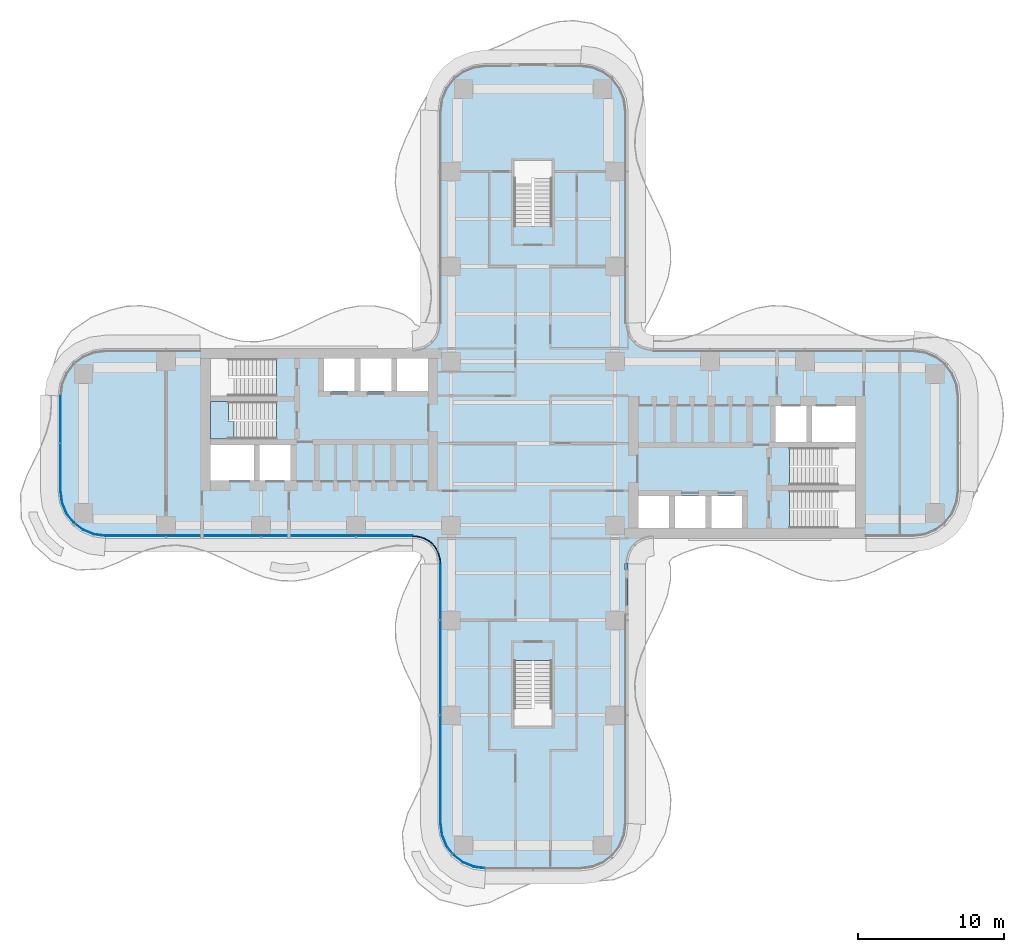
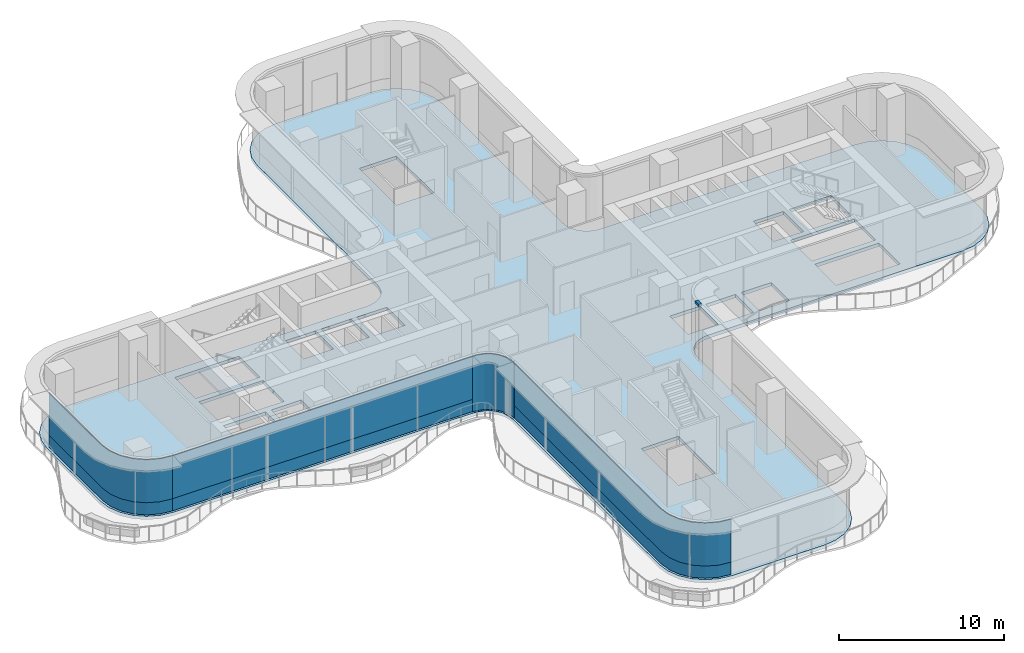
# One storey, part 13 of 23: 7 plates, 2 slabs, 1 member, 6 elements without a shape of their own.
"""IFC4 building model written with IfcOpenShell, lengths in metres."""

from ifc_helpers import new_model, si_unit, direction, frame, origin, place, context, subcontext, project, spatial, polyline, outline, extrude, source, transform, mapped, material, layer, layer_set, type_object, element, aggregate, save


model = new_model("IFC4")

# Units and contexts
model_context = context("Model", 3, precision=1e-05, world=origin(), true_north=direction((0.0, 1.0)))
body_context = subcontext(model_context, "Body", "Model", "MODEL_VIEW")
ifc_project = project(units=[si_unit("LENGTHUNIT", "METRE"), si_unit("AREAUNIT", "SQUARE_METRE"), si_unit("VOLUMEUNIT", "CUBIC_METRE"), si_unit("PLANEANGLEUNIT", "RADIAN"), si_unit("MASSUNIT", "GRAM", prefix="KILO")], contexts=[model_context])

# Site, building, storey
site_placement = place(None, origin())
site = spatial("IfcSite", under=ifc_project, at=site_placement, CompositionType="ELEMENT")
building_placement = place(site_placement, origin())
building = spatial("IfcBuilding", under=site, at=building_placement, Name="Trellis Farm Tower", CompositionType="ELEMENT")
storey_placement = place(building_placement, frame((0.0, 0.0, 111.0)))
storey = spatial("IfcBuildingStorey", under=building, at=storey_placement, Name="L23", CompositionType="ELEMENT", Elevation=111.0)

# Curtain wall, member
ifc_material_1 = material(Name="Aluminium and glass curtain wall", Category="aluminium")
ifc_layer_1 = layer(ifc_material_1, 0.18994140625)
ifc_layer_set_1 = layer_set([ifc_layer_1], Name="RIBBON CURTAIN WALL CW1")
curtain_wall_type_1 = type_object("IfcCurtainWallType", Name="RIBBON CURTAIN WALL CW1", PredefinedType="NOTDEFINED", material=ifc_layer_set_1)
placement_1 = place(storey_placement, origin())
curtain_wall_1 = element("IfcCurtainWall", 1, at=placement_1, inside=storey, type_object=curtain_wall_type_1, Name="CW1 005", PredefinedType="NOTDEFINED")
ifc_material_2 = material(Name="Aluminium extrusion 6063-T6", Category="aluminium")
ifc_layer_2 = layer(ifc_material_2, 0.199951171875)
ifc_layer_set_2 = layer_set([ifc_layer_2], Name="Aluminium extrusion 6063-T6")
member_type = type_object("IfcMemberType", Name="CW1 TRANSOM 200x180", PredefinedType="USERDEFINED", material=ifc_layer_set_2)
shared_shape_1 = source(origin(), body_context, "Body", "SweptSolid", [
    extrude(outline(polyline([(6.5, -8.665771484375), (6.5, -8.2314453125), (6.300048828125, -8.224853515625), (6.300048828125, -8.665771484375), (6.5, -8.665771484375)])), origin(), (0.0, 0.0, 1.0), 0.179931640625),
])
member_placement = place(storey_placement, frame((0.0, 0.0, 4.070068359375)))
member = element("IfcMember", 2, at=member_placement, type_object=member_type, Name="TR1 005", ObjectType="TRANSOM", PredefinedType="USERDEFINED", context=body_context, shape_type="MappedRepresentation", body=[
    mapped(shared_shape_1, transform((0.0, 0.0, 0.0))),
])
aggregate(curtain_wall_1, [member])

# Slab
ifc_material_3 = material(Name="Concrete C40/50", Category="concrete")
ifc_layer_3 = layer(ifc_material_3, 0.25)
ifc_layer_set_3 = layer_set([ifc_layer_3], Name="Composite deck floor slab 250")
slab_type_1 = type_object("IfcSlabType", Name="Composite deck floor slab 250", PredefinedType="FLOOR", material=ifc_layer_set_3)
shared_shape_2 = source(origin(), body_context, "Body", "SweptSolid", [
    extrude(outline(polyline([(-30.09130859375, -6.389404296875), (-30.875, -6.064697265625), (-31.548095703125, -5.548095703125), (-32.064697265625, -4.875), (-32.389404296875, -4.09130859375), (-32.5, -3.25), (-32.5, 3.25), (-32.389404296875, 4.09130859375), (-32.064697265625, 4.875), (-31.548095703125, 5.548095703125), (-30.875, 6.064697265625), (-30.09130859375, 6.389404296875), (-29.25, 6.5), (-8.2314453125, 6.5), (-8.01953125, 6.513916015625), (-7.91552734375, 6.527587890625), (-7.508544921875, 6.63671875), (-7.144287109375, 6.846923828125), (-6.846923828125, 7.144287109375), (-6.63671875, 7.508544921875), (-6.527587890625, 7.91552734375), (-6.513916015625, 8.01953125), (-6.5, 8.2314453125), (-6.5, 22.75), (-6.389404296875, 23.59130859375), (-6.064697265625, 24.375), (-5.548095703125, 25.048095703125), (-4.875, 25.564697265625), (-4.09130859375, 25.889404296875), (-3.25, 26.0), (3.25, 26.0), (4.09130859375, 25.889404296875), (4.875, 25.564697265625), (5.548095703125, 25.048095703125), (6.064697265625, 24.375), (6.389404296875, 23.59130859375), (6.5, 22.75), (6.5, 8.2314453125), (6.513916015625, 8.01953125), (6.527587890625, 7.91552734375), (6.63671875, 7.508544921875), (6.846923828125, 7.144287109375), (7.144287109375, 6.846923828125), (7.508544921875, 6.63671875), (7.91552734375, 6.527587890625), (8.01953125, 6.513916015625), (8.2314453125, 6.5), (26.0, 6.5), (26.84130859375, 6.389404296875), (27.625, 6.064697265625), (28.298095703125, 5.548095703125), (28.814697265625, 4.875), (29.139404296875, 4.09130859375), (29.25, 3.25), (29.25, -3.25), (29.139404296875, -4.09130859375), (28.814697265625, -4.875), (28.298095703125, -5.548095703125), (27.625, -6.064697265625), (26.84130859375, -6.389404296875), (26.0, -6.5), (8.2314453125, -6.5), (8.01953125, -6.513916015625), (7.91552734375, -6.527587890625), (7.508544921875, -6.63671875), (7.144287109375, -6.846923828125), (6.846923828125, -7.144287109375), (6.63671875, -7.508544921875), (6.527587890625, -7.91552734375), (6.513916015625, -8.01953125), (6.5, -8.2314453125), (6.5, -26.0), (6.389404296875, -26.84130859375), (6.064697265625, -27.625), (5.548095703125, -28.298095703125), (4.875, -28.814697265625), (4.09130859375, -29.139404296875), (3.25, -29.25), (-3.25, -29.25), (-4.09130859375, -29.139404296875), (-4.875, -28.814697265625), (-5.548095703125, -28.298095703125), (-6.064697265625, -27.625), (-6.389404296875, -26.84130859375), (-6.5, -26.0), (-6.5, -8.2314453125), (-6.513916015625, -8.01953125), (-6.527587890625, -7.91552734375), (-6.63671875, -7.508544921875), (-6.846923828125, -7.144287109375), (-7.144287109375, -6.846923828125), (-7.508544921875, -6.63671875), (-7.91552734375, -6.527587890625), (-8.01953125, -6.513916015625), (-8.2314453125, -6.5), (-29.25, -6.5), (-30.09130859375, -6.389404296875)]), holes=[polyline([(-22.050048828125, -0.10009765625), (-22.050048828125, -2.550048828125), (-19.10009765625, -2.550048828125), (-19.10009765625, -0.10009765625), (-22.050048828125, -0.10009765625)]), polyline([(-18.699951171875, -0.10009765625), (-18.699951171875, -2.550048828125), (-16.60009765625, -2.550048828125), (-16.60009765625, -0.10009765625), (-18.699951171875, -0.10009765625)]), polyline([(-17.56201171875, 1.64990234375), (-17.56201171875, 2.85009765625), (-22.050048828125, 2.85009765625), (-22.050048828125, 0.300048828125), (-17.56005859375, 0.300048828125), (-17.56005859375, 1.5), (-17.550048828125, 1.5), (-17.550048828125, 1.64990234375), (-17.56201171875, 1.64990234375)]), polyline([(-17.56201171875, 4.60009765625), (-17.56201171875, 5.800048828125), (-22.050048828125, 5.800048828125), (-22.050048828125, 3.25), (-17.56005859375, 3.25), (-17.56005859375, 4.449951171875), (-17.550048828125, 4.449951171875), (-17.550048828125, 4.60009765625), (-17.56201171875, 4.60009765625)]), polyline([(-14.300048828125, 5.800048828125), (-14.300048828125, 3.60009765625), (-12.199951171875, 3.60009765625), (-12.199951171875, 5.800048828125), (-14.300048828125, 5.800048828125)]), polyline([(-11.800048828125, 5.800048828125), (-11.800048828125, 3.60009765625), (-9.699951171875, 3.60009765625), (-9.699951171875, 5.800048828125), (-11.800048828125, 5.800048828125)]), polyline([(-9.300048828125, 5.800048828125), (-9.300048828125, 3.60009765625), (-7.199951171875, 3.60009765625), (-7.199951171875, 5.800048828125), (-9.300048828125, 5.800048828125)]), polyline([(0.10009765625, 14.862060546875), (1.300048828125, 14.862060546875), (1.300048828125, 19.35009765625), (-1.300048828125, 19.35009765625), (-1.300048828125, 14.860107421875), (-0.10009765625, 14.860107421875), (-0.10009765625, 14.85009765625), (0.10009765625, 14.85009765625), (0.10009765625, 14.862060546875)]), polyline([(-0.10009765625, -14.862060546875), (-1.300048828125, -14.862060546875), (-1.300048828125, -19.35009765625), (1.300048828125, -19.35009765625), (1.300048828125, -14.860107421875), (0.10009765625, -14.860107421875), (0.10009765625, -14.85009765625), (-0.10009765625, -14.85009765625), (-0.10009765625, -14.862060546875)]), polyline([(9.300048828125, -5.800048828125), (9.300048828125, -3.60009765625), (7.199951171875, -3.60009765625), (7.199951171875, -5.800048828125), (9.300048828125, -5.800048828125)]), polyline([(11.800048828125, -5.800048828125), (11.800048828125, -3.60009765625), (9.699951171875, -3.60009765625), (9.699951171875, -5.800048828125), (11.800048828125, -5.800048828125)]), polyline([(14.300048828125, -5.800048828125), (14.300048828125, -3.60009765625), (12.199951171875, -3.60009765625), (12.199951171875, -5.800048828125), (14.300048828125, -5.800048828125)]), polyline([(17.56201171875, -4.60009765625), (17.56201171875, -5.800048828125), (22.050048828125, -5.800048828125), (22.050048828125, -3.25), (17.56005859375, -3.25), (17.56005859375, -4.449951171875), (17.550048828125, -4.449951171875), (17.550048828125, -4.60009765625), (17.56201171875, -4.60009765625)]), polyline([(17.56201171875, -1.64990234375), (17.56201171875, -2.85009765625), (22.050048828125, -2.85009765625), (22.050048828125, -0.300048828125), (17.56005859375, -0.300048828125), (17.56005859375, -1.5), (17.550048828125, -1.5), (17.550048828125, -1.64990234375), (17.56201171875, -1.64990234375)]), polyline([(18.699951171875, 0.10009765625), (18.699951171875, 2.550048828125), (16.60009765625, 2.550048828125), (16.60009765625, 0.10009765625), (18.699951171875, 0.10009765625)]), polyline([(22.050048828125, 0.10009765625), (22.050048828125, 2.550048828125), (19.10009765625, 2.550048828125), (19.10009765625, 0.10009765625), (22.050048828125, 0.10009765625)])]), origin(), (0.0, 0.0, 1.0), 0.25),
])
slab_1_placement = place(storey_placement, frame((0.0, 0.0, -0.25)))
element("IfcSlab", 3, at=slab_1_placement, inside=storey, type_object=slab_type_1, Name="Floor slab", PredefinedType="FLOOR", context=body_context, shape_type="MappedRepresentation", body=[
    mapped(shared_shape_2, transform((0.0, 0.0, 0.0))),
])

# Stair, slab
ifc_material_4 = material(Name="Concrete C50/60", Category="concrete")
stair_type = type_object("IfcStairType", Name="CORE EXIT STAIR 26 RISERS 173 MM", PredefinedType="HALF_TURN_STAIR", material=ifc_material_4)
stair = element("IfcStair", 4, at=placement_1, inside=storey, type_object=stair_type, Name="Exit stair W2", PredefinedType="HALF_TURN_STAIR")
ifc_layer_4 = layer(ifc_material_4, 0.18994140625)
ifc_layer_set_4 = layer_set([ifc_layer_4], Name="CORE STAIR LANDING 190 CONCRETE C50/60")
slab_type_2 = type_object("IfcSlabType", Name="CORE STAIR LANDING 190 CONCRETE C50/60", PredefinedType="LANDING", material=ifc_layer_set_4)
shared_shape_3 = source(origin(), body_context, "Body", "SweptSolid", [
    extrude(outline(polyline([(-20.453125, 1.5), (-20.453125, 0.300048828125), (-20.85009765625, 0.300048828125), (-22.050048828125, 0.300048828125), (-22.050048828125, 2.85009765625), (-20.85009765625, 2.85009765625), (-20.840087890625, 2.85009765625), (-20.840087890625, 1.64990234375), (-20.85009765625, 1.64990234375), (-20.85009765625, 1.5), (-20.453125, 1.5)])), origin(), (0.0, 0.0, 1.0), 0.18994140625),
])
slab_2_placement = place(storey_placement, frame((0.0, 0.0, 2.06005859375)))
slab_2 = element("IfcSlab", 5, at=slab_2_placement, type_object=slab_type_2, Name="STW2 landing 1", PredefinedType="LANDING", context=body_context, shape_type="MappedRepresentation", body=[
    mapped(shared_shape_3, transform((0.0, 0.0, 0.0))),
])
aggregate(stair, [slab_2])

# Curtain wall, plates
curtain_wall_2 = element("IfcCurtainWall", 6, at=placement_1, inside=storey, type_object=curtain_wall_type_1, Name="CW1 001", PredefinedType="NOTDEFINED")
ifc_material_5 = material(Name="Clear insulated glass", Category="glass")
ifc_layer_5 = layer(ifc_material_5, 0.0400390625)
ifc_layer_set_5 = layer_set([ifc_layer_5], Name="CW1 GLASS PANEL 40")
plate_type_1 = type_object("IfcPlateType", Name="CW1 GLASS PANEL 40", PredefinedType="CURTAIN_PANEL", material=ifc_layer_set_5)
shared_shape_4 = source(origin(), body_context, "Body", "SweptSolid", [
    extrude(outline(polyline([(-29.240234375, -6.35009765625), (-8.2265625, -6.35009765625), (-8.22509765625, -6.31005859375), (-29.237548828125, -6.31005859375), (-29.240234375, -6.35009765625)])), origin(), (0.0, 0.0, 1.0), 3.170166015625),
])
placement_2 = place(storey_placement, frame((0.0, 0.0, 0.89990234375)))
plate_1 = element("IfcPlate", 7, at=placement_2, type_object=plate_type_1, Name="PL1 001", PredefinedType="CURTAIN_PANEL", context=body_context, shape_type="MappedRepresentation", body=[
    mapped(shared_shape_4, transform((0.0, 0.0, 0.0))),
])
ifc_material_6 = material(Name="Sandstone faced insulated panel", Category="masonry")
ifc_layer_6 = layer(ifc_material_6, 0.050048828125)
ifc_layer_set_6 = layer_set([ifc_layer_6], Name="CW1 STONE SPANDREL PANEL 50")
plate_type_2 = type_object("IfcPlateType", Name="CW1 STONE SPANDREL PANEL 50", PredefinedType="CURTAIN_PANEL", material=ifc_layer_set_6)
shared_shape_5 = source(origin(), body_context, "Body", "SweptSolid", [
    extrude(outline(polyline([(-29.240234375, -6.35009765625), (-8.2265625, -6.35009765625), (-8.224853515625, -6.300048828125), (-29.23681640625, -6.300048828125), (-29.240234375, -6.35009765625)])), origin(), (0.0, 0.0, 1.0), 0.89990234375),
])
plate_2 = element("IfcPlate", 8, at=placement_1, type_object=plate_type_2, Name="PS1 001", PredefinedType="CURTAIN_PANEL", context=body_context, shape_type="MappedRepresentation", body=[
    mapped(shared_shape_5, transform((0.0, 0.0, 0.0))),
])
aggregate(curtain_wall_2, [plate_1, plate_2])

# Curtain wall, plate
ifc_layer_7 = layer(ifc_material_1, 0.166015625)
ifc_layer_set_7 = layer_set([ifc_layer_7], Name="WINTER GARDEN CURTAIN WALL CW3")
curtain_wall_type_2 = type_object("IfcCurtainWallType", Name="WINTER GARDEN CURTAIN WALL CW3", PredefinedType="NOTDEFINED", material=ifc_layer_set_7)
curtain_wall_3 = element("IfcCurtainWall", 9, at=placement_1, inside=storey, type_object=curtain_wall_type_2, Name="CW3 001", PredefinedType="NOTDEFINED")
ifc_layer_8 = layer(ifc_material_5, 0.0458984375)
ifc_layer_set_8 = layer_set([ifc_layer_8], Name="CW3 GLASS PANEL 46")
plate_type_3 = type_object("IfcPlateType", Name="CW3 GLASS PANEL 46", PredefinedType="CURTAIN_PANEL", material=ifc_layer_set_8)
shared_shape_6 = source(origin(), body_context, "Body", "SweptSolid", [
    extrude(outline(polyline([(-8.2275390625, -6.3798828125), (-8.0078125, -6.394287109375), (-7.89208984375, -6.40966796875), (-7.462158203125, -6.52490234375), (-7.070556640625, -6.7509765625), (-6.7509765625, -7.070556640625), (-6.52490234375, -7.462158203125), (-6.40966796875, -7.89208984375), (-6.394287109375, -8.0078125), (-6.3798828125, -8.2275390625), (-6.333984375, -8.22607421875), (-6.3486328125, -8.003173828125), (-6.364501953125, -7.883056640625), (-6.48193359375, -7.4443359375), (-6.714111328125, -7.04248046875), (-7.04248046875, -6.714111328125), (-7.4443359375, -6.48193359375), (-7.883056640625, -6.364501953125), (-8.003173828125, -6.3486328125), (-8.22607421875, -6.333984375), (-8.2275390625, -6.3798828125)])), origin(), (0.0, 0.0, 1.0), 4.10009765625),
])
plate_3 = element("IfcPlate", 10, at=placement_1, type_object=plate_type_3, Name="PL3 001", PredefinedType="CURTAIN_PANEL", context=body_context, shape_type="MappedRepresentation", body=[
    mapped(shared_shape_6, transform((0.0, 0.0, 0.0))),
])
aggregate(curtain_wall_3, [plate_3])

# Curtain wall, plates
curtain_wall_4 = element("IfcCurtainWall", 11, at=placement_1, inside=storey, type_object=curtain_wall_type_1, Name="CW1 002", PredefinedType="NOTDEFINED")
shared_shape_7 = source(origin(), body_context, "Body", "SweptSolid", [
    extrude(outline(polyline([(-6.35009765625, -8.2265625), (-6.35009765625, -25.990234375), (-6.2431640625, -26.802001953125), (-5.93359375, -27.54931640625), (-5.441162109375, -28.191162109375), (-4.79931640625, -28.68359375), (-4.052001953125, -28.9931640625), (-3.240234375, -29.10009765625), (-3.237548828125, -29.06005859375), (-4.04150390625, -28.9541015625), (-4.779296875, -28.648681640625), (-5.41259765625, -28.16259765625), (-5.898681640625, -27.529296875), (-6.2041015625, -26.79150390625), (-6.31005859375, -25.987548828125), (-6.31005859375, -8.22509765625), (-6.35009765625, -8.2265625)])), origin(), (0.0, 0.0, 1.0), 3.170166015625),
])
plate_4 = element("IfcPlate", 12, at=placement_2, type_object=plate_type_1, Name="PL1 002", PredefinedType="CURTAIN_PANEL", context=body_context, shape_type="MappedRepresentation", body=[
    mapped(shared_shape_7, transform((0.0, 0.0, 0.0))),
])
shared_shape_8 = source(origin(), body_context, "Body", "SweptSolid", [
    extrude(outline(polyline([(-6.35009765625, -8.2265625), (-6.35009765625, -25.990234375), (-6.2431640625, -26.802001953125), (-5.93359375, -27.54931640625), (-5.441162109375, -28.191162109375), (-4.79931640625, -28.68359375), (-4.052001953125, -28.9931640625), (-3.240234375, -29.10009765625), (-3.23681640625, -29.050048828125), (-4.0390625, -28.9443359375), (-4.774169921875, -28.639892578125), (-5.405517578125, -28.155517578125), (-5.889892578125, -27.524169921875), (-6.1943359375, -26.7890625), (-6.300048828125, -25.98681640625), (-6.300048828125, -8.224853515625), (-6.35009765625, -8.2265625)])), origin(), (0.0, 0.0, 1.0), 0.89990234375),
])
plate_5 = element("IfcPlate", 13, at=placement_1, type_object=plate_type_2, Name="PS1 002", PredefinedType="CURTAIN_PANEL", context=body_context, shape_type="MappedRepresentation", body=[
    mapped(shared_shape_8, transform((0.0, 0.0, 0.0))),
])
aggregate(curtain_wall_4, [plate_4, plate_5])

curtain_wall_5 = element("IfcCurtainWall", 14, at=placement_1, inside=storey, type_object=curtain_wall_type_1, Name="CW1 014", PredefinedType="NOTDEFINED")
shared_shape_9 = source(origin(), body_context, "Body", "SweptSolid", [
    extrude(outline(polyline([(-32.35009765625, 3.240234375), (-32.35009765625, -3.240234375), (-32.2431640625, -4.052001953125), (-31.93359375, -4.79931640625), (-31.441162109375, -5.441162109375), (-30.79931640625, -5.93359375), (-30.052001953125, -6.2431640625), (-29.240234375, -6.35009765625), (-29.237548828125, -6.31005859375), (-30.04150390625, -6.2041015625), (-30.779296875, -5.898681640625), (-31.41259765625, -5.41259765625), (-31.898681640625, -4.779296875), (-32.2041015625, -4.04150390625), (-32.31005859375, -3.237548828125), (-32.31005859375, 3.237548828125), (-32.35009765625, 3.240234375)])), origin(), (0.0, 0.0, 1.0), 3.170166015625),
])
plate_6 = element("IfcPlate", 15, at=placement_2, type_object=plate_type_1, Name="PL1 014", PredefinedType="CURTAIN_PANEL", context=body_context, shape_type="MappedRepresentation", body=[
    mapped(shared_shape_9, transform((0.0, 0.0, 0.0))),
])
shared_shape_10 = source(origin(), body_context, "Body", "SweptSolid", [
    extrude(outline(polyline([(-32.35009765625, 3.240234375), (-32.35009765625, -3.240234375), (-32.2431640625, -4.052001953125), (-31.93359375, -4.79931640625), (-31.441162109375, -5.441162109375), (-30.79931640625, -5.93359375), (-30.052001953125, -6.2431640625), (-29.240234375, -6.35009765625), (-29.23681640625, -6.300048828125), (-30.0390625, -6.1943359375), (-30.774169921875, -5.889892578125), (-31.405517578125, -5.405517578125), (-31.889892578125, -4.774169921875), (-32.1943359375, -4.0390625), (-32.300048828125, -3.23681640625), (-32.300048828125, 3.23681640625), (-32.35009765625, 3.240234375)])), origin(), (0.0, 0.0, 1.0), 0.89990234375),
])
plate_7 = element("IfcPlate", 16, at=placement_1, type_object=plate_type_2, Name="PS1 014", PredefinedType="CURTAIN_PANEL", context=body_context, shape_type="MappedRepresentation", body=[
    mapped(shared_shape_10, transform((0.0, 0.0, 0.0))),
])
aggregate(curtain_wall_5, [plate_6, plate_7])

save(model, "model.ifc")
